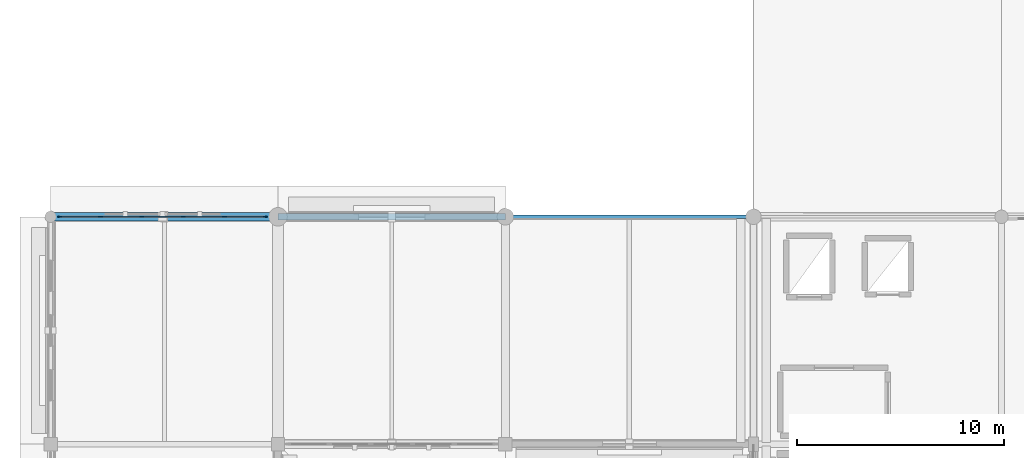
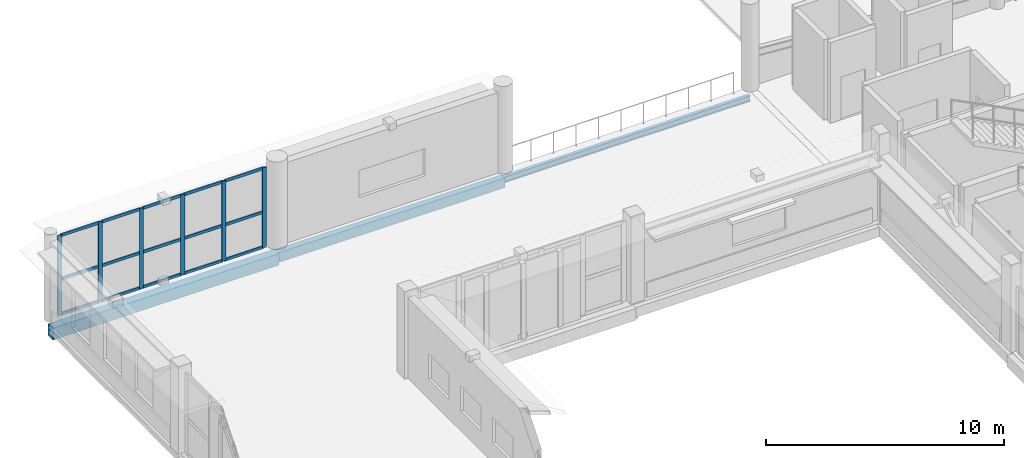
# One storey, part 41 of 118: 21 members, 3 beams, 1 element without a shape of its own.
"""IFC4 building model written with IfcOpenShell, lengths in metres."""

from ifc_helpers import new_model, si_unit, direction, frame, origin, origin_2d, place, context, subcontext, project, spatial, rectangle, hollow_rectangle, i_section, extrude, material, material_profile, profile_set, type_object, element, aggregate, save


model = new_model("IFC4")

# Units and contexts
model_context = context("Model", 3, precision=1e-05, world=origin(), true_north=direction((0.0, 1.0)))
body_context = subcontext(model_context, "Body", "Model", "MODEL_VIEW")
ifc_project = project(units=[si_unit("LENGTHUNIT", "METRE"), si_unit("AREAUNIT", "SQUARE_METRE"), si_unit("VOLUMEUNIT", "CUBIC_METRE"), si_unit("PLANEANGLEUNIT", "RADIAN"), si_unit("MASSUNIT", "GRAM", prefix="KILO")], contexts=[model_context])

# Site, building, storey
site_placement = place(None, origin())
site = spatial("IfcSite", under=ifc_project, at=site_placement, CompositionType="ELEMENT")
building_placement = place(site_placement, origin())
building = spatial("IfcBuilding", under=site, at=building_placement, Name="Luwafu Chhajja Arena", CompositionType="ELEMENT")
storey_placement = place(building_placement, frame((0.0, 0.0, 10.199951171875)))
storey = spatial("IfcBuildingStorey", under=building, at=storey_placement, Name="L02", CompositionType="ELEMENT", Elevation=10.199951171875)

# Curtain wall, members
ifc_material_1 = material(Name="Anodised bronze aluminium", Category="aluminium")
curtain_wall_type = type_object("IfcCurtainWallType", Name="Hospitality Ring Curtain Wall", PredefinedType="USERDEFINED", material=ifc_material_1)
curtain_wall_placement = place(storey_placement, origin())
curtain_wall = element("IfcCurtainWall", 1, at=curtain_wall_placement, inside=storey, type_object=curtain_wall_type, Name="L02 Curtain Wall CWG-L02-H00_09", ObjectType="CURTAIN WALL", PredefinedType="USERDEFINED")
ifc_material_profile_1 = material_profile(ifc_material_1, rectangle(XDim=0.06494140625, YDim=0.199951171875, at=origin_2d()), Name="CWM 65x200")
ifc_profile_set_1 = profile_set([ifc_material_profile_1], Name="Anodised bronze aluminium")
member_type_1 = type_object("IfcMemberType", Name="Bronze Curtain Wall Mullion 65x200", PredefinedType="MULLION", material=ifc_profile_set_1)
member_1_placement = place(storey_placement, frame((0.447509765625, 99.0, 0.030029296875), z_axis=(0.0, 0.0, 1.0), x_axis=(0.0, 1.0, 0.0)))
member_1 = element("IfcMember", 2, at=member_1_placement, type_object=member_type_1, Name="CW-02 mullion 1", PredefinedType="MULLION", context=body_context, shape_type="SweptSolid", body=[
    extrude(rectangle(XDim=0.06494140625, YDim=0.199951171875, at=origin_2d()), origin(), (0.0, 0.0, 1.0), 4.114990234375),
])
member_2_placement = place(storey_placement, frame((2.4140625, 99.0, 0.030029296875), z_axis=(0.0, 0.0, 1.0), x_axis=(0.0, 1.0, 0.0)))
member_2 = element("IfcMember", 3, at=member_2_placement, type_object=member_type_1, Name="CW-02 mullion 2", PredefinedType="MULLION", context=body_context, shape_type="SweptSolid", body=[
    extrude(rectangle(XDim=0.06494140625, YDim=0.199951171875, at=origin_2d()), origin(), (0.0, 0.0, 1.0), 4.114990234375),
])
member_3_placement = place(storey_placement, frame((4.4130859375, 99.0, 0.030029296875), z_axis=(0.0, 0.0, 1.0), x_axis=(0.0, 1.0, 0.0)))
member_3 = element("IfcMember", 4, at=member_3_placement, type_object=member_type_1, Name="CW-02 mullion 3", PredefinedType="MULLION", context=body_context, shape_type="SweptSolid", body=[
    extrude(rectangle(XDim=0.06494140625, YDim=0.199951171875, at=origin_2d()), origin(), (0.0, 0.0, 1.0), 4.114990234375),
])
member_4_placement = place(storey_placement, frame((6.412109375, 99.0, 0.030029296875), z_axis=(0.0, 0.0, 1.0), x_axis=(0.0, 1.0, 0.0)))
member_4 = element("IfcMember", 5, at=member_4_placement, type_object=member_type_1, Name="CW-02 mullion 4", PredefinedType="MULLION", context=body_context, shape_type="SweptSolid", body=[
    extrude(rectangle(XDim=0.06494140625, YDim=0.199951171875, at=origin_2d()), origin(), (0.0, 0.0, 1.0), 4.114990234375),
])
member_5_placement = place(storey_placement, frame((8.410888671875, 99.0, 0.030029296875), z_axis=(0.0, 0.0, 1.0), x_axis=(0.0, 1.0, 0.0)))
member_5 = element("IfcMember", 6, at=member_5_placement, type_object=member_type_1, Name="CW-02 mullion 5", PredefinedType="MULLION", context=body_context, shape_type="SweptSolid", body=[
    extrude(rectangle(XDim=0.06494140625, YDim=0.199951171875, at=origin_2d()), origin(), (0.0, 0.0, 1.0), 4.114990234375),
])
member_6_placement = place(storey_placement, frame((10.37744140625, 99.0, 0.030029296875), z_axis=(0.0, 0.0, 1.0), x_axis=(0.0, 1.0, 0.0)))
member_6 = element("IfcMember", 7, at=member_6_placement, type_object=member_type_1, Name="CW-02 mullion 6", PredefinedType="MULLION", context=body_context, shape_type="SweptSolid", body=[
    extrude(rectangle(XDim=0.06494140625, YDim=0.199951171875, at=origin_2d()), origin(), (0.0, 0.0, 1.0), 4.114990234375),
])
ifc_material_profile_2 = material_profile(ifc_material_1, rectangle(XDim=0.06494140625, YDim=0.14990234375, at=origin_2d()), Name="CWT 65x150")
ifc_profile_set_2 = profile_set([ifc_material_profile_2], Name="Anodised bronze aluminium")
member_type_2 = type_object("IfcMemberType", Name="Bronze Curtain Wall Transom 65x150", PredefinedType="USERDEFINED", material=ifc_profile_set_2)
member_7_placement = place(storey_placement, frame((0.47998046875, 99.0, 0.0625), z_axis=(1.0, 0.0, 0.0), x_axis=(0.0, 1.0, 0.0)))
member_7 = element("IfcMember", 8, at=member_7_placement, type_object=member_type_2, Name="CW-02 transom 1.1", ObjectType="TRANSOM", PredefinedType="USERDEFINED", context=body_context, shape_type="SweptSolid", body=[
    extrude(rectangle(XDim=0.06494140625, YDim=0.14990234375, at=origin_2d()), origin(), (0.0, 0.0, 1.0), 1.901611328125),
])
member_8_placement = place(storey_placement, frame((0.47998046875, 99.0, 1.865234375), z_axis=(1.0, 0.0, 0.0), x_axis=(0.0, 1.0, 0.0)))
member_8 = element("IfcMember", 9, at=member_8_placement, type_object=member_type_2, Name="CW-02 transom 1.2", ObjectType="TRANSOM", PredefinedType="USERDEFINED", context=body_context, shape_type="SweptSolid", body=[
    extrude(rectangle(XDim=0.06494140625, YDim=0.14990234375, at=origin_2d()), origin(), (0.0, 0.0, 1.0), 1.901611328125),
])
member_9_placement = place(storey_placement, frame((0.47998046875, 99.0, 4.112548828125), z_axis=(1.0, 0.0, 0.0), x_axis=(0.0, 1.0, 0.0)))
member_9 = element("IfcMember", 10, at=member_9_placement, type_object=member_type_2, Name="CW-02 transom 1.3", ObjectType="TRANSOM", PredefinedType="USERDEFINED", context=body_context, shape_type="SweptSolid", body=[
    extrude(rectangle(XDim=0.06494140625, YDim=0.14990234375, at=origin_2d()), origin(), (0.0, 0.0, 1.0), 1.901611328125),
])
member_10_placement = place(storey_placement, frame((2.446533203125, 99.0, 0.0625), z_axis=(1.0, 0.0, 0.0), x_axis=(0.0, 1.0, 0.0)))
member_10 = element("IfcMember", 11, at=member_10_placement, type_object=member_type_2, Name="CW-02 transom 2.1", ObjectType="TRANSOM", PredefinedType="USERDEFINED", context=body_context, shape_type="SweptSolid", body=[
    extrude(rectangle(XDim=0.06494140625, YDim=0.14990234375, at=origin_2d()), origin(), (0.0, 0.0, 1.0), 1.93408203125),
])
member_11_placement = place(storey_placement, frame((2.446533203125, 99.0, 1.865234375), z_axis=(1.0, 0.0, 0.0), x_axis=(0.0, 1.0, 0.0)))
member_11 = element("IfcMember", 12, at=member_11_placement, type_object=member_type_2, Name="CW-02 transom 2.2", ObjectType="TRANSOM", PredefinedType="USERDEFINED", context=body_context, shape_type="SweptSolid", body=[
    extrude(rectangle(XDim=0.06494140625, YDim=0.14990234375, at=origin_2d()), origin(), (0.0, 0.0, 1.0), 1.93408203125),
])
member_12_placement = place(storey_placement, frame((2.446533203125, 99.0, 4.112548828125), z_axis=(1.0, 0.0, 0.0), x_axis=(0.0, 1.0, 0.0)))
member_12 = element("IfcMember", 13, at=member_12_placement, type_object=member_type_2, Name="CW-02 transom 2.3", ObjectType="TRANSOM", PredefinedType="USERDEFINED", context=body_context, shape_type="SweptSolid", body=[
    extrude(rectangle(XDim=0.06494140625, YDim=0.14990234375, at=origin_2d()), origin(), (0.0, 0.0, 1.0), 1.93408203125),
])
member_13_placement = place(storey_placement, frame((4.445556640625, 99.0, 0.0625), z_axis=(1.0, 0.0, 0.0), x_axis=(0.0, 1.0, 0.0)))
member_13 = element("IfcMember", 14, at=member_13_placement, type_object=member_type_2, Name="CW-02 transom 3.1", ObjectType="TRANSOM", PredefinedType="USERDEFINED", context=body_context, shape_type="SweptSolid", body=[
    extrude(rectangle(XDim=0.06494140625, YDim=0.14990234375, at=origin_2d()), origin(), (0.0, 0.0, 1.0), 1.933837890625),
])
member_14_placement = place(storey_placement, frame((4.445556640625, 99.0, 1.865234375), z_axis=(1.0, 0.0, 0.0), x_axis=(0.0, 1.0, 0.0)))
member_14 = element("IfcMember", 15, at=member_14_placement, type_object=member_type_2, Name="CW-02 transom 3.2", ObjectType="TRANSOM", PredefinedType="USERDEFINED", context=body_context, shape_type="SweptSolid", body=[
    extrude(rectangle(XDim=0.06494140625, YDim=0.14990234375, at=origin_2d()), origin(), (0.0, 0.0, 1.0), 1.933837890625),
])
member_15_placement = place(storey_placement, frame((4.445556640625, 99.0, 4.112548828125), z_axis=(1.0, 0.0, 0.0), x_axis=(0.0, 1.0, 0.0)))
member_15 = element("IfcMember", 16, at=member_15_placement, type_object=member_type_2, Name="CW-02 transom 3.3", ObjectType="TRANSOM", PredefinedType="USERDEFINED", context=body_context, shape_type="SweptSolid", body=[
    extrude(rectangle(XDim=0.06494140625, YDim=0.14990234375, at=origin_2d()), origin(), (0.0, 0.0, 1.0), 1.933837890625),
])
member_16_placement = place(storey_placement, frame((6.444580078125, 99.0, 0.0625), z_axis=(1.0, 0.0, 0.0), x_axis=(0.0, 1.0, 0.0)))
member_16 = element("IfcMember", 17, at=member_16_placement, type_object=member_type_2, Name="CW-02 transom 4.1", ObjectType="TRANSOM", PredefinedType="USERDEFINED", context=body_context, shape_type="SweptSolid", body=[
    extrude(rectangle(XDim=0.06494140625, YDim=0.14990234375, at=origin_2d()), origin(), (0.0, 0.0, 1.0), 1.933837890625),
])
member_17_placement = place(storey_placement, frame((6.444580078125, 99.0, 1.865234375), z_axis=(1.0, 0.0, 0.0), x_axis=(0.0, 1.0, 0.0)))
member_17 = element("IfcMember", 18, at=member_17_placement, type_object=member_type_2, Name="CW-02 transom 4.2", ObjectType="TRANSOM", PredefinedType="USERDEFINED", context=body_context, shape_type="SweptSolid", body=[
    extrude(rectangle(XDim=0.06494140625, YDim=0.14990234375, at=origin_2d()), origin(), (0.0, 0.0, 1.0), 1.933837890625),
])
member_18_placement = place(storey_placement, frame((6.444580078125, 99.0, 4.112548828125), z_axis=(1.0, 0.0, 0.0), x_axis=(0.0, 1.0, 0.0)))
member_18 = element("IfcMember", 19, at=member_18_placement, type_object=member_type_2, Name="CW-02 transom 4.3", ObjectType="TRANSOM", PredefinedType="USERDEFINED", context=body_context, shape_type="SweptSolid", body=[
    extrude(rectangle(XDim=0.06494140625, YDim=0.14990234375, at=origin_2d()), origin(), (0.0, 0.0, 1.0), 1.933837890625),
])
member_19_placement = place(storey_placement, frame((8.443603515625, 99.0, 0.0625), z_axis=(1.0, 0.0, 0.0), x_axis=(0.0, 1.0, 0.0)))
member_19 = element("IfcMember", 20, at=member_19_placement, type_object=member_type_2, Name="CW-02 transom 5.1", ObjectType="TRANSOM", PredefinedType="USERDEFINED", context=body_context, shape_type="SweptSolid", body=[
    extrude(rectangle(XDim=0.06494140625, YDim=0.14990234375, at=origin_2d()), origin(), (0.0, 0.0, 1.0), 1.9013671875),
])
member_20_placement = place(storey_placement, frame((8.443603515625, 99.0, 1.865234375), z_axis=(1.0, 0.0, 0.0), x_axis=(0.0, 1.0, 0.0)))
member_20 = element("IfcMember", 21, at=member_20_placement, type_object=member_type_2, Name="CW-02 transom 5.2", ObjectType="TRANSOM", PredefinedType="USERDEFINED", context=body_context, shape_type="SweptSolid", body=[
    extrude(rectangle(XDim=0.06494140625, YDim=0.14990234375, at=origin_2d()), origin(), (0.0, 0.0, 1.0), 1.9013671875),
])
member_21_placement = place(storey_placement, frame((8.443603515625, 99.0, 4.112548828125), z_axis=(1.0, 0.0, 0.0), x_axis=(0.0, 1.0, 0.0)))
member_21 = element("IfcMember", 22, at=member_21_placement, type_object=member_type_2, Name="CW-02 transom 5.3", ObjectType="TRANSOM", PredefinedType="USERDEFINED", context=body_context, shape_type="SweptSolid", body=[
    extrude(rectangle(XDim=0.06494140625, YDim=0.14990234375, at=origin_2d()), origin(), (0.0, 0.0, 1.0), 1.9013671875),
])
aggregate(curtain_wall, [member_1, member_2, member_3, member_4, member_5, member_6, member_7, member_8, member_9, member_10, member_11, member_12, member_13, member_14, member_15, member_16, member_17, member_18, member_19, member_20, member_21])

# Beams
ifc_material_2 = material(Name="Steel S355", Category="steel")
ifc_material_profile_3 = material_profile(ifc_material_2, i_section(OverallWidth=0.165771484375, OverallDepth=0.306640625, WebThickness=0.006591796875, FlangeThickness=0.01171875, at=origin_2d()), Name="UB 305x165x46")
ifc_profile_set_3 = profile_set([ifc_material_profile_3], Name="Steel S355")
beam_type_1 = type_object("IfcBeamType", Name="Concourse Edge Spandrel Beam UB 305x165x46", PredefinedType="SPANDREL", material=ifc_profile_set_3)
beam_1_placement = place(storey_placement, frame((22.0, 99.0, -0.543212890625), z_axis=(1.0, 0.0, 0.0), x_axis=(0.0, 1.0, 0.0)))
element("IfcBeam", 23, at=beam_1_placement, inside=storey, type_object=beam_type_1, Name="L02 Grid Beam 3-4/K", PredefinedType="SPANDREL", context=body_context, shape_type="SweptSolid", body=[
    extrude(i_section(OverallWidth=0.165771484375, OverallDepth=0.306640625, WebThickness=0.006591796875, FlangeThickness=0.01171875, at=origin_2d()), origin(), (0.0, 0.0, 1.0), 12.0),
])
ifc_material_profile_4 = material_profile(ifc_material_2, hollow_rectangle(XDim=0.300048828125, YDim=0.5, WallThickness=0.02001953125, at=origin_2d()), Name="RHS 500x300x20")
ifc_profile_set_4 = profile_set([ifc_material_profile_4], Name="Steel S355")
beam_type_2 = type_object("IfcBeamType", Name="Pleated Drum Spandrel Beam RHS 500x300", PredefinedType="SPANDREL", material=ifc_profile_set_4)
beam_2_placement = place(storey_placement, frame((11.0, 99.0, -0.639892578125), z_axis=(1.0, 0.0, 0.0), x_axis=(0.0, 1.0, 0.0)))
element("IfcBeam", 24, at=beam_2_placement, inside=storey, type_object=beam_type_2, Name="L02 Grid Beam 2-3/K", PredefinedType="SPANDREL", context=body_context, shape_type="SweptSolid", body=[
    extrude(hollow_rectangle(XDim=0.300048828125, YDim=0.5, WallThickness=0.02001953125, at=origin_2d()), origin(), (0.0, 0.0, 1.0), 11.0),
])
ifc_material_3 = material(Name="Concrete C35/45", Category="concrete")
ifc_material_profile_5 = material_profile(ifc_material_3, rectangle(XDim=0.39990234375, YDim=0.60009765625, at=origin_2d()), Name="RC 400x600")
ifc_profile_set_5 = profile_set([ifc_material_profile_5], Name="Concrete C35/45")
beam_type_3 = type_object("IfcBeamType", Name="Podium Perimeter Spandrel RC 400x600", PredefinedType="SPANDREL", material=ifc_profile_set_5)
beam_3_placement = place(storey_placement, frame((0.0, 99.0, -0.68994140625), z_axis=(1.0, 0.0, 0.0), x_axis=(0.0, 1.0, 0.0)))
element("IfcBeam", 25, at=beam_3_placement, inside=storey, type_object=beam_type_3, Name="L02 Grid Beam 1-2/K", PredefinedType="SPANDREL", context=body_context, shape_type="SweptSolid", body=[
    extrude(rectangle(XDim=0.39990234375, YDim=0.60009765625, at=origin_2d()), origin(), (0.0, 0.0, 1.0), 11.0),
])

save(model, "model.ifc")
